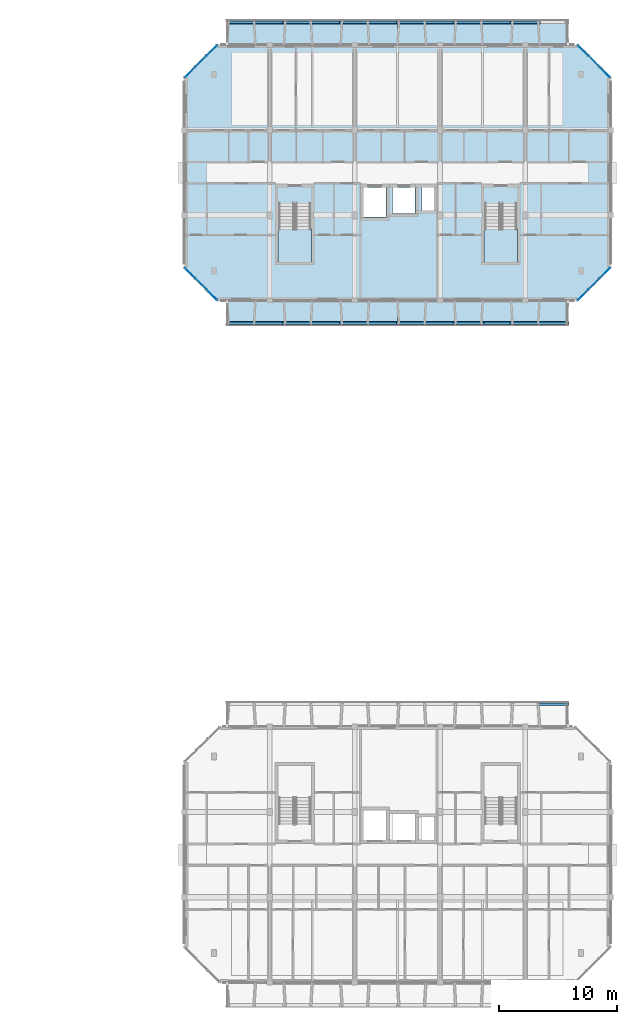
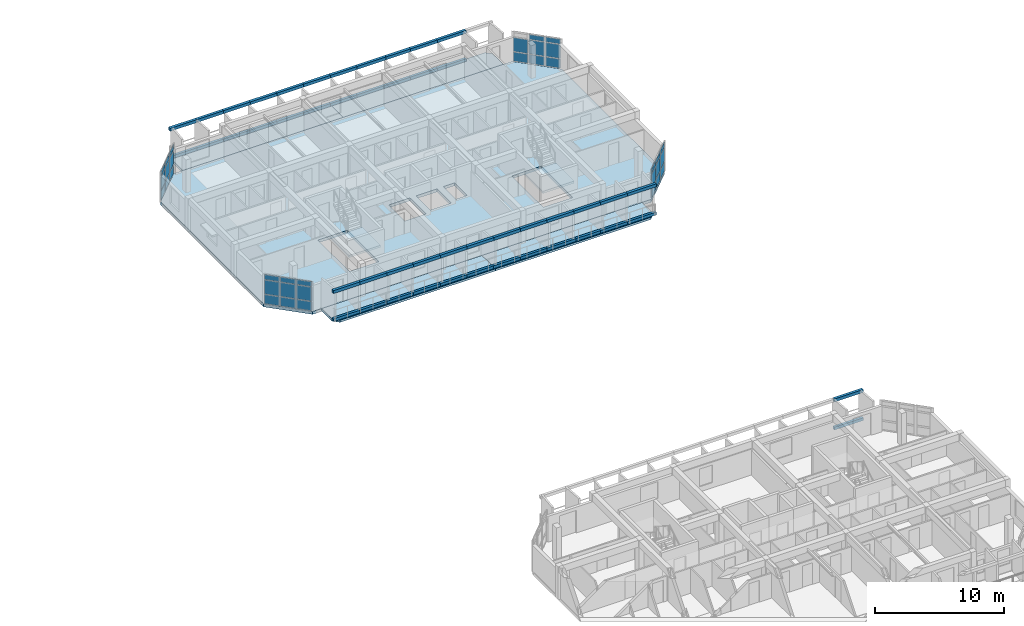
# One storey, part 11 of 31: 83 plates, 7 slabs, 6 elements without a shape of their own.
"""IFC4 building model written with IfcOpenShell, lengths in metres."""

from ifc_helpers import new_model, si_unit, direction, frame, origin, origin_2d, place, context, subcontext, project, spatial, polyline, rectangle, outline, extrude, material, layer, layer_set, type_object, element, aggregate, save


model = new_model("IFC4")

# Units and contexts
model_context = context("Model", 3, precision=1e-05, world=origin(), true_north=direction((0.0, 1.0)))
body_context = subcontext(model_context, "Body", "Model", "MODEL_VIEW")
ifc_project = project(units=[si_unit("LENGTHUNIT", "METRE"), si_unit("AREAUNIT", "SQUARE_METRE"), si_unit("VOLUMEUNIT", "CUBIC_METRE"), si_unit("PLANEANGLEUNIT", "RADIAN"), si_unit("MASSUNIT", "GRAM", prefix="KILO")], contexts=[model_context])

# Site, building, storey
site_placement = place(None, origin())
site = spatial("IfcSite", under=ifc_project, at=site_placement, CompositionType="ELEMENT")
building_placement = place(site_placement, origin())
building = spatial("IfcBuilding", under=site, at=building_placement, Name="Ochrevale Crest", CompositionType="ELEMENT")
storey_placement = place(building_placement, frame((0.0, 0.0, 37.050048828125)))
storey = spatial("IfcBuildingStorey", under=building, at=storey_placement, Name="L11", CompositionType="ELEMENT", Elevation=37.050048828125)

# Curtain wall, plates
ifc_material_1 = material(Name="Anodised aluminium 6063-T5", Category="aluminium")
ifc_layer_1 = layer(ifc_material_1, 0.14990234375)
ifc_layer_set_1 = layer_set([ifc_layer_1], Name="Anodised aluminium 6063-T5")
curtain_wall_type_1 = type_object("IfcCurtainWallType", Name="CW-WG-240x285", PredefinedType="NOTDEFINED", material=ifc_layer_set_1)
curtain_wall_1_placement = place(storey_placement, origin())
curtain_wall_1 = element("IfcCurtainWall", 1, at=curtain_wall_1_placement, inside=storey, type_object=curtain_wall_type_1, Name="Block D L11 chamfered corner wintergarden curtain wall 4", PredefinedType="NOTDEFINED")
ifc_material_2 = material(Name="Double-glazed low-E insulated glass unit", Category="glass")
ifc_layer_2 = layer(ifc_material_2, 0.028076171875)
ifc_layer_set_2 = layer_set([ifc_layer_2], Name="Double-glazed low-E insulated glass unit")
plate_type_1 = type_object("IfcPlateType", Name="CW-PNL-IGU28", PredefinedType="CURTAIN_PANEL", material=ifc_layer_set_2)
plate_1_placement = place(storey_placement, frame((165.1201171875, 91.280029296875, 0.06005859375), z_axis=(0.0, 0.0, 1.0), x_axis=(-0.707106781187, 0.707106781187, 0.0)))
plate_1 = element("IfcPlate", 2, at=plate_1_placement, type_object=plate_type_1, Name="CW15 panel 1.1", PredefinedType="CURTAIN_PANEL", context=body_context, shape_type="SweptSolid", body=[
    extrude(rectangle(XDim=1.20751953125, YDim=0.028076171875, at=origin_2d()), origin(), (0.0, 0.0, 1.0), 0.860107421875),
])
plate_2_placement = place(storey_placement, frame((165.1201171875, 91.280029296875, 0.97998046875), z_axis=(0.0, 0.0, 1.0), x_axis=(-0.707106781187, 0.707106781187, 0.0)))
plate_2 = element("IfcPlate", 3, at=plate_2_placement, type_object=plate_type_1, Name="CW15 panel 1.2", PredefinedType="CURTAIN_PANEL", context=body_context, shape_type="SweptSolid", body=[
    extrude(rectangle(XDim=1.20751953125, YDim=0.028076171875, at=origin_2d()), origin(), (0.0, 0.0, 1.0), 1.31494140625),
])
plate_3_placement = place(storey_placement, frame((165.1201171875, 91.280029296875, 2.35498046875), z_axis=(0.0, 0.0, 1.0), x_axis=(-0.707106781187, 0.707106781187, 0.0)))
plate_3 = element("IfcPlate", 4, at=plate_3_placement, type_object=plate_type_1, Name="CW15 panel 1.3", PredefinedType="CURTAIN_PANEL", context=body_context, shape_type="SweptSolid", body=[
    extrude(rectangle(XDim=1.20751953125, YDim=0.028076171875, at=origin_2d()), origin(), (0.0, 0.0, 1.0), 0.4599609375),
])
plate_4_placement = place(storey_placement, frame((164.199951171875, 92.199951171875, 0.06005859375), z_axis=(0.0, 0.0, 1.0), x_axis=(-0.707106781187, 0.707106781187, 0.0)))
plate_4 = element("IfcPlate", 5, at=plate_4_placement, type_object=plate_type_1, Name="CW15 panel 2.1", PredefinedType="CURTAIN_PANEL", context=body_context, shape_type="SweptSolid", body=[
    extrude(rectangle(XDim=1.244873046875, YDim=0.028076171875, at=origin_2d()), origin(), (0.0, 0.0, 1.0), 0.860107421875),
])
plate_5_placement = place(storey_placement, frame((164.199951171875, 92.199951171875, 0.97998046875), z_axis=(0.0, 0.0, 1.0), x_axis=(-0.707106781187, 0.707106781187, 0.0)))
plate_5 = element("IfcPlate", 6, at=plate_5_placement, type_object=plate_type_1, Name="CW15 panel 2.2", PredefinedType="CURTAIN_PANEL", context=body_context, shape_type="SweptSolid", body=[
    extrude(rectangle(XDim=1.244873046875, YDim=0.028076171875, at=origin_2d()), origin(), (0.0, 0.0, 1.0), 1.31494140625),
])
plate_6_placement = place(storey_placement, frame((164.199951171875, 92.199951171875, 2.35498046875), z_axis=(0.0, 0.0, 1.0), x_axis=(-0.707106781187, 0.707106781187, 0.0)))
plate_6 = element("IfcPlate", 7, at=plate_6_placement, type_object=plate_type_1, Name="CW15 panel 2.3", PredefinedType="CURTAIN_PANEL", context=body_context, shape_type="SweptSolid", body=[
    extrude(rectangle(XDim=1.244873046875, YDim=0.028076171875, at=origin_2d()), origin(), (0.0, 0.0, 1.0), 0.4599609375),
])
plate_7_placement = place(storey_placement, frame((163.280029296875, 93.1201171875, 0.06005859375), z_axis=(0.0, 0.0, 1.0), x_axis=(-0.707106781187, 0.707106781187, 0.0)))
plate_7 = element("IfcPlate", 8, at=plate_7_placement, type_object=plate_type_1, Name="CW15 panel 3.1", PredefinedType="CURTAIN_PANEL", context=body_context, shape_type="SweptSolid", body=[
    extrude(rectangle(XDim=1.20751953125, YDim=0.028076171875, at=origin_2d()), origin(), (0.0, 0.0, 1.0), 0.860107421875),
])
plate_8_placement = place(storey_placement, frame((163.280029296875, 93.1201171875, 0.97998046875), z_axis=(0.0, 0.0, 1.0), x_axis=(-0.707106781187, 0.707106781187, 0.0)))
plate_8 = element("IfcPlate", 9, at=plate_8_placement, type_object=plate_type_1, Name="CW15 panel 3.2", PredefinedType="CURTAIN_PANEL", context=body_context, shape_type="SweptSolid", body=[
    extrude(rectangle(XDim=1.20751953125, YDim=0.028076171875, at=origin_2d()), origin(), (0.0, 0.0, 1.0), 1.31494140625),
])
aggregate(curtain_wall_1, [plate_1, plate_2, plate_3, plate_4, plate_5, plate_6, plate_7, plate_8])

ifc_layer_3 = layer(ifc_material_1, 0.14990234375)
ifc_layer_set_3 = layer_set([ifc_layer_3], Name="Anodised aluminium 6063-T5")
curtain_wall_type_2 = type_object("IfcCurtainWallType", Name="CW-WG-320x285", PredefinedType="NOTDEFINED", material=ifc_layer_set_3)
curtain_wall_2_placement = place(storey_placement, origin())
curtain_wall_2 = element("IfcCurtainWall", 10, at=curtain_wall_2_placement, inside=storey, type_object=curtain_wall_type_2, Name="Block D L11 chamfered corner wintergarden curtain wall 6", PredefinedType="NOTDEFINED")
plate_9_placement = place(storey_placement, frame((131.920166015625, 93.1201171875, 0.06005859375), z_axis=(0.0, 0.0, 1.0), x_axis=(-0.707106781187, -0.707106781187, 0.0)))
plate_9 = element("IfcPlate", 11, at=plate_9_placement, type_object=plate_type_1, Name="CW17 panel 1.1", PredefinedType="CURTAIN_PANEL", context=body_context, shape_type="SweptSolid", body=[
    extrude(rectangle(XDim=1.20751953125, YDim=0.028076171875, at=origin_2d()), origin(), (0.0, 0.0, 1.0), 0.860107421875),
])
plate_10_placement = place(storey_placement, frame((131.920166015625, 93.1201171875, 0.97998046875), z_axis=(0.0, 0.0, 1.0), x_axis=(-0.707106781187, -0.707106781187, 0.0)))
plate_10 = element("IfcPlate", 12, at=plate_10_placement, type_object=plate_type_1, Name="CW17 panel 1.2", PredefinedType="CURTAIN_PANEL", context=body_context, shape_type="SweptSolid", body=[
    extrude(rectangle(XDim=1.20751953125, YDim=0.028076171875, at=origin_2d()), origin(), (0.0, 0.0, 1.0), 1.31494140625),
])
plate_11_placement = place(storey_placement, frame((131.920166015625, 93.1201171875, 2.35498046875), z_axis=(0.0, 0.0, 1.0), x_axis=(-0.707106781187, -0.707106781187, 0.0)))
plate_11 = element("IfcPlate", 13, at=plate_11_placement, type_object=plate_type_1, Name="CW17 panel 1.3", PredefinedType="CURTAIN_PANEL", context=body_context, shape_type="SweptSolid", body=[
    extrude(rectangle(XDim=1.20751953125, YDim=0.028076171875, at=origin_2d()), origin(), (0.0, 0.0, 1.0), 0.4599609375),
])
plate_12_placement = place(storey_placement, frame((131.0, 92.199951171875, 0.06005859375), z_axis=(0.0, 0.0, 1.0), x_axis=(-0.707106781187, -0.707106781187, 0.0)))
plate_12 = element("IfcPlate", 14, at=plate_12_placement, type_object=plate_type_1, Name="CW17 panel 2.1", PredefinedType="CURTAIN_PANEL", context=body_context, shape_type="SweptSolid", body=[
    extrude(rectangle(XDim=1.244873046875, YDim=0.028076171875, at=origin_2d()), origin(), (0.0, 0.0, 1.0), 0.860107421875),
])
plate_13_placement = place(storey_placement, frame((131.0, 92.199951171875, 0.97998046875), z_axis=(0.0, 0.0, 1.0), x_axis=(-0.707106781187, -0.707106781187, 0.0)))
plate_13 = element("IfcPlate", 15, at=plate_13_placement, type_object=plate_type_1, Name="CW17 panel 2.2", PredefinedType="CURTAIN_PANEL", context=body_context, shape_type="SweptSolid", body=[
    extrude(rectangle(XDim=1.244873046875, YDim=0.028076171875, at=origin_2d()), origin(), (0.0, 0.0, 1.0), 1.31494140625),
])
plate_14_placement = place(storey_placement, frame((131.0, 92.199951171875, 2.35498046875), z_axis=(0.0, 0.0, 1.0), x_axis=(-0.707106781187, -0.707106781187, 0.0)))
plate_14 = element("IfcPlate", 16, at=plate_14_placement, type_object=plate_type_1, Name="CW17 panel 2.3", PredefinedType="CURTAIN_PANEL", context=body_context, shape_type="SweptSolid", body=[
    extrude(rectangle(XDim=1.244873046875, YDim=0.028076171875, at=origin_2d()), origin(), (0.0, 0.0, 1.0), 0.4599609375),
])
plate_15_placement = place(storey_placement, frame((130.079833984375, 91.280029296875, 0.06005859375), z_axis=(0.0, 0.0, 1.0), x_axis=(-0.707106781187, -0.707106781187, 0.0)))
plate_15 = element("IfcPlate", 17, at=plate_15_placement, type_object=plate_type_1, Name="CW17 panel 3.1", PredefinedType="CURTAIN_PANEL", context=body_context, shape_type="SweptSolid", body=[
    extrude(rectangle(XDim=1.20751953125, YDim=0.028076171875, at=origin_2d()), origin(), (0.0, 0.0, 1.0), 0.860107421875),
])
plate_16_placement = place(storey_placement, frame((130.079833984375, 91.280029296875, 0.97998046875), z_axis=(0.0, 0.0, 1.0), x_axis=(-0.707106781187, -0.707106781187, 0.0)))
plate_16 = element("IfcPlate", 18, at=plate_16_placement, type_object=plate_type_1, Name="CW17 panel 3.2", PredefinedType="CURTAIN_PANEL", context=body_context, shape_type="SweptSolid", body=[
    extrude(rectangle(XDim=1.20751953125, YDim=0.028076171875, at=origin_2d()), origin(), (0.0, 0.0, 1.0), 1.31494140625),
])
plate_17_placement = place(storey_placement, frame((130.079833984375, 91.280029296875, 2.35498046875), z_axis=(0.0, 0.0, 1.0), x_axis=(-0.707106781187, -0.707106781187, 0.0)))
plate_17 = element("IfcPlate", 19, at=plate_17_placement, type_object=plate_type_1, Name="CW17 panel 3.3", PredefinedType="CURTAIN_PANEL", context=body_context, shape_type="SweptSolid", body=[
    extrude(rectangle(XDim=1.20751953125, YDim=0.028076171875, at=origin_2d()), origin(), (0.0, 0.0, 1.0), 0.4599609375),
])
aggregate(curtain_wall_2, [plate_9, plate_10, plate_11, plate_12, plate_13, plate_14, plate_15, plate_16, plate_17])

ifc_layer_4 = layer(ifc_material_1, 0.14990234375)
ifc_layer_set_4 = layer_set([ifc_layer_4], Name="Anodised aluminium 6063-T5")
curtain_wall_type_3 = type_object("IfcCurtainWallType", Name="CW-WG-420x285", PredefinedType="NOTDEFINED", material=ifc_layer_set_4)
curtain_wall_3_placement = place(storey_placement, origin())
curtain_wall_3 = element("IfcCurtainWall", 20, at=curtain_wall_3_placement, inside=storey, type_object=curtain_wall_type_3, Name="Block D L11 chamfered corner wintergarden curtain wall 8", PredefinedType="NOTDEFINED")
plate_18_placement = place(storey_placement, frame((130.079833984375, 74.320068359375, 0.06005859375), z_axis=(0.0, 0.0, 1.0), x_axis=(0.707106781187, -0.707106781187, 0.0)))
plate_18 = element("IfcPlate", 21, at=plate_18_placement, type_object=plate_type_1, Name="CW22 panel 1.1", PredefinedType="CURTAIN_PANEL", context=body_context, shape_type="SweptSolid", body=[
    extrude(rectangle(XDim=1.20751953125, YDim=0.028076171875, at=origin_2d()), origin(), (0.0, 0.0, 1.0), 0.860107421875),
])
plate_19_placement = place(storey_placement, frame((130.079833984375, 74.320068359375, 0.97998046875), z_axis=(0.0, 0.0, 1.0), x_axis=(0.707106781187, -0.707106781187, 0.0)))
plate_19 = element("IfcPlate", 22, at=plate_19_placement, type_object=plate_type_1, Name="CW22 panel 1.2", PredefinedType="CURTAIN_PANEL", context=body_context, shape_type="SweptSolid", body=[
    extrude(rectangle(XDim=1.20751953125, YDim=0.028076171875, at=origin_2d()), origin(), (0.0, 0.0, 1.0), 1.31494140625),
])
plate_20_placement = place(storey_placement, frame((130.079833984375, 74.320068359375, 2.35498046875), z_axis=(0.0, 0.0, 1.0), x_axis=(0.707106781187, -0.707106781187, 0.0)))
plate_20 = element("IfcPlate", 23, at=plate_20_placement, type_object=plate_type_1, Name="CW22 panel 1.3", PredefinedType="CURTAIN_PANEL", context=body_context, shape_type="SweptSolid", body=[
    extrude(rectangle(XDim=1.20751953125, YDim=0.028076171875, at=origin_2d()), origin(), (0.0, 0.0, 1.0), 0.4599609375),
])
plate_21_placement = place(storey_placement, frame((131.0, 73.39990234375, 0.06005859375), z_axis=(0.0, 0.0, 1.0), x_axis=(0.707106781187, -0.707106781187, 0.0)))
plate_21 = element("IfcPlate", 24, at=plate_21_placement, type_object=plate_type_1, Name="CW22 panel 2.1", PredefinedType="CURTAIN_PANEL", context=body_context, shape_type="SweptSolid", body=[
    extrude(rectangle(XDim=1.244873046875, YDim=0.028076171875, at=origin_2d()), origin(), (0.0, 0.0, 1.0), 0.860107421875),
])
plate_22_placement = place(storey_placement, frame((131.0, 73.39990234375, 0.97998046875), z_axis=(0.0, 0.0, 1.0), x_axis=(0.707106781187, -0.707106781187, 0.0)))
plate_22 = element("IfcPlate", 25, at=plate_22_placement, type_object=plate_type_1, Name="CW22 panel 2.2", PredefinedType="CURTAIN_PANEL", context=body_context, shape_type="SweptSolid", body=[
    extrude(rectangle(XDim=1.244873046875, YDim=0.028076171875, at=origin_2d()), origin(), (0.0, 0.0, 1.0), 1.31494140625),
])
plate_23_placement = place(storey_placement, frame((131.0, 73.39990234375, 2.35498046875), z_axis=(0.0, 0.0, 1.0), x_axis=(0.707106781187, -0.707106781187, 0.0)))
plate_23 = element("IfcPlate", 26, at=plate_23_placement, type_object=plate_type_1, Name="CW22 panel 2.3", PredefinedType="CURTAIN_PANEL", context=body_context, shape_type="SweptSolid", body=[
    extrude(rectangle(XDim=1.244873046875, YDim=0.028076171875, at=origin_2d()), origin(), (0.0, 0.0, 1.0), 0.4599609375),
])
plate_24_placement = place(storey_placement, frame((131.920166015625, 72.47998046875, 0.06005859375), z_axis=(0.0, 0.0, 1.0), x_axis=(0.707106781187, -0.707106781187, 0.0)))
plate_24 = element("IfcPlate", 27, at=plate_24_placement, type_object=plate_type_1, Name="CW22 panel 3.1", PredefinedType="CURTAIN_PANEL", context=body_context, shape_type="SweptSolid", body=[
    extrude(rectangle(XDim=1.20751953125, YDim=0.028076171875, at=origin_2d()), origin(), (0.0, 0.0, 1.0), 0.860107421875),
])
plate_25_placement = place(storey_placement, frame((131.920166015625, 72.47998046875, 0.97998046875), z_axis=(0.0, 0.0, 1.0), x_axis=(0.707106781187, -0.707106781187, 0.0)))
plate_25 = element("IfcPlate", 28, at=plate_25_placement, type_object=plate_type_1, Name="CW22 panel 3.2", PredefinedType="CURTAIN_PANEL", context=body_context, shape_type="SweptSolid", body=[
    extrude(rectangle(XDim=1.20751953125, YDim=0.028076171875, at=origin_2d()), origin(), (0.0, 0.0, 1.0), 1.31494140625),
])
plate_26_placement = place(storey_placement, frame((131.920166015625, 72.47998046875, 2.35498046875), z_axis=(0.0, 0.0, 1.0), x_axis=(0.707106781187, -0.707106781187, 0.0)))
plate_26 = element("IfcPlate", 29, at=plate_26_placement, type_object=plate_type_1, Name="CW22 panel 3.3", PredefinedType="CURTAIN_PANEL", context=body_context, shape_type="SweptSolid", body=[
    extrude(rectangle(XDim=1.20751953125, YDim=0.028076171875, at=origin_2d()), origin(), (0.0, 0.0, 1.0), 0.4599609375),
])
aggregate(curtain_wall_3, [plate_18, plate_19, plate_20, plate_21, plate_22, plate_23, plate_24, plate_25, plate_26])

ifc_layer_5 = layer(ifc_material_1, 0.14990234375)
ifc_layer_set_5 = layer_set([ifc_layer_5], Name="Anodised aluminium 6063-T5")
curtain_wall_type_4 = type_object("IfcCurtainWallType", Name="CW-WG-360x285", PredefinedType="NOTDEFINED", material=ifc_layer_set_5)
curtain_wall_4_placement = place(storey_placement, origin())
curtain_wall_4 = element("IfcCurtainWall", 30, at=curtain_wall_4_placement, inside=storey, type_object=curtain_wall_type_4, Name="Block D L11 chamfered corner wintergarden curtain wall 2", PredefinedType="NOTDEFINED")
ifc_material_3 = material(Name="Acoustic laminated low-E insulated glass unit", Category="glass")
ifc_layer_6 = layer(ifc_material_3, 0.0380859375)
ifc_layer_set_6 = layer_set([ifc_layer_6], Name="Acoustic laminated low-E insulated glass unit")
plate_type_2 = type_object("IfcPlateType", Name="CW-PNL-IGU38", PredefinedType="CURTAIN_PANEL", material=ifc_layer_set_6)
plate_27_placement = place(storey_placement, frame((163.280029296875, 72.47998046875, 0.06005859375), z_axis=(0.0, 0.0, 1.0), x_axis=(0.707106781187, 0.707106781187, 0.0)))
plate_27 = element("IfcPlate", 31, at=plate_27_placement, type_object=plate_type_2, Name="CW18 panel 1.1", PredefinedType="CURTAIN_PANEL", context=body_context, shape_type="SweptSolid", body=[
    extrude(rectangle(XDim=1.20751953125, YDim=0.0380859375, at=origin_2d()), origin(), (0.0, 0.0, 1.0), 0.860107421875),
])
plate_28_placement = place(storey_placement, frame((163.280029296875, 72.47998046875, 0.97998046875), z_axis=(0.0, 0.0, 1.0), x_axis=(0.707106781187, 0.707106781187, 0.0)))
plate_28 = element("IfcPlate", 32, at=plate_28_placement, type_object=plate_type_2, Name="CW18 panel 1.2", PredefinedType="CURTAIN_PANEL", context=body_context, shape_type="SweptSolid", body=[
    extrude(rectangle(XDim=1.20751953125, YDim=0.0380859375, at=origin_2d()), origin(), (0.0, 0.0, 1.0), 1.31494140625),
])
plate_29_placement = place(storey_placement, frame((163.280029296875, 72.47998046875, 2.35498046875), z_axis=(0.0, 0.0, 1.0), x_axis=(0.707106781187, 0.707106781187, 0.0)))
plate_29 = element("IfcPlate", 33, at=plate_29_placement, type_object=plate_type_2, Name="CW18 panel 1.3", PredefinedType="CURTAIN_PANEL", context=body_context, shape_type="SweptSolid", body=[
    extrude(rectangle(XDim=1.20751953125, YDim=0.0380859375, at=origin_2d()), origin(), (0.0, 0.0, 1.0), 0.4599609375),
])
plate_30_placement = place(storey_placement, frame((164.199951171875, 73.39990234375, 0.06005859375), z_axis=(0.0, 0.0, 1.0), x_axis=(0.707106781187, 0.707106781187, 0.0)))
plate_30 = element("IfcPlate", 34, at=plate_30_placement, type_object=plate_type_2, Name="CW18 panel 2.1", PredefinedType="CURTAIN_PANEL", context=body_context, shape_type="SweptSolid", body=[
    extrude(rectangle(XDim=1.244873046875, YDim=0.0380859375, at=origin_2d()), origin(), (0.0, 0.0, 1.0), 0.860107421875),
])
plate_31_placement = place(storey_placement, frame((164.199951171875, 73.39990234375, 0.97998046875), z_axis=(0.0, 0.0, 1.0), x_axis=(0.707106781187, 0.707106781187, 0.0)))
plate_31 = element("IfcPlate", 35, at=plate_31_placement, type_object=plate_type_2, Name="CW18 panel 2.2", PredefinedType="CURTAIN_PANEL", context=body_context, shape_type="SweptSolid", body=[
    extrude(rectangle(XDim=1.244873046875, YDim=0.0380859375, at=origin_2d()), origin(), (0.0, 0.0, 1.0), 1.31494140625),
])
plate_32_placement = place(storey_placement, frame((164.199951171875, 73.39990234375, 2.35498046875), z_axis=(0.0, 0.0, 1.0), x_axis=(0.707106781187, 0.707106781187, 0.0)))
plate_32 = element("IfcPlate", 36, at=plate_32_placement, type_object=plate_type_2, Name="CW18 panel 2.3", PredefinedType="CURTAIN_PANEL", context=body_context, shape_type="SweptSolid", body=[
    extrude(rectangle(XDim=1.244873046875, YDim=0.0380859375, at=origin_2d()), origin(), (0.0, 0.0, 1.0), 0.4599609375),
])
plate_33_placement = place(storey_placement, frame((165.1201171875, 74.320068359375, 0.06005859375), z_axis=(0.0, 0.0, 1.0), x_axis=(0.707106781187, 0.707106781187, 0.0)))
plate_33 = element("IfcPlate", 37, at=plate_33_placement, type_object=plate_type_2, Name="CW18 panel 3.1", PredefinedType="CURTAIN_PANEL", context=body_context, shape_type="SweptSolid", body=[
    extrude(rectangle(XDim=1.20751953125, YDim=0.0380859375, at=origin_2d()), origin(), (0.0, 0.0, 1.0), 0.860107421875),
])
plate_34_placement = place(storey_placement, frame((165.1201171875, 74.320068359375, 0.97998046875), z_axis=(0.0, 0.0, 1.0), x_axis=(0.707106781187, 0.707106781187, 0.0)))
plate_34 = element("IfcPlate", 38, at=plate_34_placement, type_object=plate_type_2, Name="CW18 panel 3.2", PredefinedType="CURTAIN_PANEL", context=body_context, shape_type="SweptSolid", body=[
    extrude(rectangle(XDim=1.20751953125, YDim=0.0380859375, at=origin_2d()), origin(), (0.0, 0.0, 1.0), 1.31494140625),
])
plate_35_placement = place(storey_placement, frame((165.1201171875, 74.320068359375, 2.35498046875), z_axis=(0.0, 0.0, 1.0), x_axis=(0.707106781187, 0.707106781187, 0.0)))
plate_35 = element("IfcPlate", 39, at=plate_35_placement, type_object=plate_type_2, Name="CW18 panel 3.3", PredefinedType="CURTAIN_PANEL", context=body_context, shape_type="SweptSolid", body=[
    extrude(rectangle(XDim=1.20751953125, YDim=0.0380859375, at=origin_2d()), origin(), (0.0, 0.0, 1.0), 0.4599609375),
])
aggregate(curtain_wall_4, [plate_27, plate_28, plate_29, plate_30, plate_31, plate_32, plate_33, plate_34, plate_35])

# Plates
ifc_material_4 = material(Name="Precast concrete C40/50", Category="concrete")
ifc_layer_7 = layer(ifc_material_4, 0.06005859375)
ifc_layer_set_7 = layer_set([ifc_layer_7], Name="Precast concrete C40/50")
plate_type_3 = type_object("IfcPlateType", Name="PLT-HC-HEAD-60", PredefinedType="USERDEFINED", material=ifc_layer_set_7)
for number, where, z_axis, x_axis, name in (
    (40, (160.800048828125, 37.89990234375, 2.669921875), (0.0, 0.0, 1.0), (1.0, 0.0, 0.0), "Block C L11 N honeycomb arched lintel fascia 12"),
    (41, (134.39990234375, 70.10009765625, 2.669921875), (0.0, 0.0, 1.0), (1.0, 0.0, 0.0), "Block D L11 S honeycomb arched lintel fascia 1"),
    (42, (136.800048828125, 70.10009765625, 2.669921875), (0.0, 0.0, 1.0), (1.0, 0.0, 0.0), "Block D L11 S honeycomb arched lintel fascia 2"),
    (43, (139.199951171875, 70.10009765625, 2.669921875), (0.0, 0.0, 1.0), (1.0, 0.0, 0.0), "Block D L11 S honeycomb arched lintel fascia 3"),
    (44, (141.60009765625, 70.10009765625, 2.669921875), (0.0, 0.0, 1.0), (1.0, 0.0, 0.0), "Block D L11 S honeycomb arched lintel fascia 4"),
    (45, (144.0, 70.10009765625, 2.669921875), (0.0, 0.0, 1.0), (1.0, 0.0, 0.0), "Block D L11 S honeycomb arched lintel fascia 5"),
    (46, (146.39990234375, 70.10009765625, 2.669921875), (0.0, 0.0, 1.0), (1.0, 0.0, 0.0), "Block D L11 S honeycomb arched lintel fascia 6"),
    (47, (148.800048828125, 70.10009765625, 2.669921875), (0.0, 0.0, 1.0), (1.0, 0.0, 0.0), "Block D L11 S honeycomb arched lintel fascia 7"),
    (48, (151.199951171875, 70.10009765625, 2.669921875), (0.0, 0.0, 1.0), (1.0, 0.0, 0.0), "Block D L11 S honeycomb arched lintel fascia 8"),
    (49, (153.60009765625, 70.10009765625, 2.669921875), (0.0, 0.0, 1.0), (1.0, 0.0, 0.0), "Block D L11 S honeycomb arched lintel fascia 9"),
    (50, (156.0, 70.10009765625, 2.669921875), (0.0, 0.0, 1.0), (1.0, 0.0, 0.0), "Block D L11 S honeycomb arched lintel fascia 10"),
    (51, (158.39990234375, 70.10009765625, 2.669921875), (0.0, 0.0, 1.0), (1.0, 0.0, 0.0), "Block D L11 S honeycomb arched lintel fascia 11"),
    (52, (160.800048828125, 70.10009765625, 2.669921875), (0.0, 0.0, 1.0), (1.0, 0.0, 0.0), "Block D L11 S honeycomb arched lintel fascia 12"),
    (53, (134.39990234375, 95.5, 2.669921875), (0.0, 0.0, 1.0), (1.0, 0.0, 0.0), "Block D L11 N honeycomb arched lintel fascia 1"),
    (54, (136.800048828125, 95.5, 2.669921875), (0.0, 0.0, 1.0), (1.0, 0.0, 0.0), "Block D L11 N honeycomb arched lintel fascia 2"),
    (55, (139.199951171875, 95.5, 2.669921875), (0.0, 0.0, 1.0), (1.0, 0.0, 0.0), "Block D L11 N honeycomb arched lintel fascia 3"),
    (56, (141.60009765625, 95.5, 2.669921875), (0.0, 0.0, 1.0), (1.0, 0.0, 0.0), "Block D L11 N honeycomb arched lintel fascia 4"),
    (57, (144.0, 95.5, 2.669921875), (0.0, 0.0, 1.0), (1.0, 0.0, 0.0), "Block D L11 N honeycomb arched lintel fascia 5"),
    (58, (146.39990234375, 95.5, 2.669921875), (0.0, 0.0, 1.0), (1.0, 0.0, 0.0), "Block D L11 N honeycomb arched lintel fascia 6"),
    (59, (148.800048828125, 95.5, 2.669921875), (0.0, 0.0, 1.0), (1.0, 0.0, 0.0), "Block D L11 N honeycomb arched lintel fascia 7"),
    (60, (151.199951171875, 95.5, 2.669921875), (0.0, 0.0, 1.0), (1.0, 0.0, 0.0), "Block D L11 N honeycomb arched lintel fascia 8"),
    (61, (153.60009765625, 95.5, 2.669921875), (0.0, 0.0, 1.0), (1.0, 0.0, 0.0), "Block D L11 N honeycomb arched lintel fascia 9"),
    (62, (156.0, 95.5, 2.669921875), (0.0, 0.0, 1.0), (1.0, 0.0, 0.0), "Block D L11 N honeycomb arched lintel fascia 10"),
    (63, (158.39990234375, 95.5, 2.669921875), (0.0, 0.0, 1.0), (1.0, 0.0, 0.0), "Block D L11 N honeycomb arched lintel fascia 11"),
):
    element("IfcPlate", number, at=place(storey_placement, frame(where, z_axis=z_axis, x_axis=x_axis)), inside=storey, type_object=plate_type_3, Name=name, ObjectType="FACADE FASCIA PLATE", PredefinedType="USERDEFINED", context=body_context, shape_type="SweptSolid", body=[
        extrude(rectangle(XDim=2.60009765625, YDim=0.239990234375, at=origin_2d()), origin(), (0.0, 0.0, 1.0), 0.280029296875),
    ])
ifc_layer_8 = layer(ifc_material_4, 0.044921875)
ifc_layer_set_8 = layer_set([ifc_layer_8], Name="Precast concrete C40/50")
plate_type_4 = type_object("IfcPlateType", Name="PLT-HC-SILL-45", PredefinedType="USERDEFINED", material=ifc_layer_set_8)
for number, where, z_axis, x_axis, name in (
    (64, (160.800048828125, 37.89990234375, 0.0), (0.0, 0.0, 1.0), (1.0, 0.0, 0.0), "Block C L11 N honeycomb sill coping plate 12"),
    (65, (134.39990234375, 70.10009765625, 0.0), (0.0, 0.0, 1.0), (1.0, 0.0, 0.0), "Block D L11 S honeycomb sill coping plate 1"),
    (66, (136.800048828125, 70.10009765625, 0.0), (0.0, 0.0, 1.0), (1.0, 0.0, 0.0), "Block D L11 S honeycomb sill coping plate 2"),
    (67, (139.199951171875, 70.10009765625, 0.0), (0.0, 0.0, 1.0), (1.0, 0.0, 0.0), "Block D L11 S honeycomb sill coping plate 3"),
    (68, (141.60009765625, 70.10009765625, 0.0), (0.0, 0.0, 1.0), (1.0, 0.0, 0.0), "Block D L11 S honeycomb sill coping plate 4"),
    (69, (144.0, 70.10009765625, 0.0), (0.0, 0.0, 1.0), (1.0, 0.0, 0.0), "Block D L11 S honeycomb sill coping plate 5"),
    (70, (146.39990234375, 70.10009765625, 0.0), (0.0, 0.0, 1.0), (1.0, 0.0, 0.0), "Block D L11 S honeycomb sill coping plate 6"),
    (71, (148.800048828125, 70.10009765625, 0.0), (0.0, 0.0, 1.0), (1.0, 0.0, 0.0), "Block D L11 S honeycomb sill coping plate 7"),
    (72, (151.199951171875, 70.10009765625, 0.0), (0.0, 0.0, 1.0), (1.0, 0.0, 0.0), "Block D L11 S honeycomb sill coping plate 8"),
    (73, (153.60009765625, 70.10009765625, 0.0), (0.0, 0.0, 1.0), (1.0, 0.0, 0.0), "Block D L11 S honeycomb sill coping plate 9"),
    (74, (156.0, 70.10009765625, 0.0), (0.0, 0.0, 1.0), (1.0, 0.0, 0.0), "Block D L11 S honeycomb sill coping plate 10"),
    (75, (158.39990234375, 70.10009765625, 0.0), (0.0, 0.0, 1.0), (1.0, 0.0, 0.0), "Block D L11 S honeycomb sill coping plate 11"),
    (76, (160.800048828125, 70.10009765625, 0.0), (0.0, 0.0, 1.0), (1.0, 0.0, 0.0), "Block D L11 S honeycomb sill coping plate 12"),
    (77, (134.39990234375, 95.5, 0.0), (0.0, 0.0, 1.0), (1.0, 0.0, 0.0), "Block D L11 N honeycomb sill coping plate 1"),
    (78, (136.800048828125, 95.5, 0.0), (0.0, 0.0, 1.0), (1.0, 0.0, 0.0), "Block D L11 N honeycomb sill coping plate 2"),
    (79, (139.199951171875, 95.5, 0.0), (0.0, 0.0, 1.0), (1.0, 0.0, 0.0), "Block D L11 N honeycomb sill coping plate 3"),
    (80, (141.60009765625, 95.5, 0.0), (0.0, 0.0, 1.0), (1.0, 0.0, 0.0), "Block D L11 N honeycomb sill coping plate 4"),
    (81, (144.0, 95.5, 0.0), (0.0, 0.0, 1.0), (1.0, 0.0, 0.0), "Block D L11 N honeycomb sill coping plate 5"),
    (82, (146.39990234375, 95.5, 0.0), (0.0, 0.0, 1.0), (1.0, 0.0, 0.0), "Block D L11 N honeycomb sill coping plate 6"),
    (83, (148.800048828125, 95.5, 0.0), (0.0, 0.0, 1.0), (1.0, 0.0, 0.0), "Block D L11 N honeycomb sill coping plate 7"),
    (84, (151.199951171875, 95.5, 0.0), (0.0, 0.0, 1.0), (1.0, 0.0, 0.0), "Block D L11 N honeycomb sill coping plate 8"),
    (85, (153.60009765625, 95.5, 0.0), (0.0, 0.0, 1.0), (1.0, 0.0, 0.0), "Block D L11 N honeycomb sill coping plate 9"),
    (86, (156.0, 95.5, 0.0), (0.0, 0.0, 1.0), (1.0, 0.0, 0.0), "Block D L11 N honeycomb sill coping plate 10"),
    (87, (158.39990234375, 95.5, 0.0), (0.0, 0.0, 1.0), (1.0, 0.0, 0.0), "Block D L11 N honeycomb sill coping plate 11"),
):
    element("IfcPlate", number, at=place(storey_placement, frame(where, z_axis=z_axis, x_axis=x_axis)), inside=storey, type_object=plate_type_4, Name=name, ObjectType="SILL COPING PLATE", PredefinedType="USERDEFINED", context=body_context, shape_type="SweptSolid", body=[
        extrude(rectangle(XDim=2.60009765625, YDim=0.219970703125, at=origin_2d()), origin(), (0.0, 0.0, 1.0), 0.260009765625),
    ])

# Slabs
ifc_layer_9 = layer(ifc_material_4, 0.199951171875)
ifc_layer_set_9 = layer_set([ifc_layer_9], Name="Precast concrete C40/50")
slab_type_1 = type_object("IfcSlabType", Name="SLB-BAL-200", PredefinedType="FLOOR", material=ifc_layer_set_9)
slab_1_placement = place(storey_placement, frame((0.0, 0.0, -0.199951171875)))
element("IfcSlab", 88, at=slab_1_placement, inside=storey, type_object=slab_type_1, Name="Block D L11 S1 precast loggia balcony slab", PredefinedType="FLOOR", context=body_context, shape_type="SweptSolid", body=[
    extrude(outline(polyline([(133.64990234375, 69.89990234375), (147.60009765625, 69.89990234375), (147.60009765625, 72.0), (133.199951171875, 72.0), (133.199951171875, 70.35009765625), (133.64990234375, 69.89990234375)])), origin(), (0.0, 0.0, 1.0), 0.199951171875),
])
slab_2_placement = place(storey_placement, frame((0.0, 0.0, -0.199951171875)))
element("IfcSlab", 89, at=slab_2_placement, inside=storey, type_object=slab_type_1, Name="Block D L11 S2 precast loggia balcony slab", PredefinedType="FLOOR", context=body_context, shape_type="SweptSolid", body=[
    extrude(outline(polyline([(147.60009765625, 69.89990234375), (161.550048828125, 69.89990234375), (162.0, 70.35009765625), (162.0, 72.0), (147.60009765625, 72.0), (147.60009765625, 69.89990234375)])), origin(), (0.0, 0.0, 1.0), 0.199951171875),
])
slab_3_placement = place(storey_placement, frame((0.0, 0.0, -0.199951171875)))
element("IfcSlab", 90, at=slab_3_placement, inside=storey, type_object=slab_type_1, Name="Block D L11 N1 precast loggia balcony slab", PredefinedType="FLOOR", context=body_context, shape_type="SweptSolid", body=[
    extrude(outline(polyline([(133.199951171875, 93.60009765625), (147.60009765625, 93.60009765625), (147.60009765625, 95.699951171875), (133.64990234375, 95.699951171875), (133.199951171875, 95.25), (133.199951171875, 93.60009765625)])), origin(), (0.0, 0.0, 1.0), 0.199951171875),
])
slab_4_placement = place(storey_placement, frame((0.0, 0.0, -0.199951171875)))
element("IfcSlab", 91, at=slab_4_placement, inside=storey, type_object=slab_type_1, Name="Block D L11 N2 precast loggia balcony slab", PredefinedType="FLOOR", context=body_context, shape_type="SweptSolid", body=[
    extrude(outline(polyline([(147.60009765625, 93.60009765625), (162.0, 93.60009765625), (162.0, 95.25), (161.550048828125, 95.699951171875), (147.60009765625, 95.699951171875), (147.60009765625, 93.60009765625)])), origin(), (0.0, 0.0, 1.0), 0.199951171875),
])
ifc_layer_10 = layer(ifc_material_4, 0.27490234375)
ifc_layer_set_10 = layer_set([ifc_layer_10], Name="Precast concrete C40/50")
slab_type_2 = type_object("IfcSlabType", Name="SLB-RES-275", PredefinedType="FLOOR", material=ifc_layer_set_10)
slab_5_placement = place(storey_placement, frame((0.0, 0.0, -0.275146484375)))
element("IfcSlab", 92, at=slab_5_placement, inside=storey, type_object=slab_type_2, Name="Block D L11 composite hollowcore floor slab", PredefinedType="FLOOR", context=body_context, shape_type="SweptSolid", body=[
    extrude(outline(polyline([(132.39990234375, 72.0), (162.800048828125, 72.0), (165.60009765625, 74.800048828125), (165.60009765625, 90.800048828125), (162.800048828125, 93.60009765625), (132.39990234375, 93.60009765625), (129.60009765625, 90.800048828125), (129.60009765625, 74.800048828125), (132.39990234375, 72.0)]), holes=[polyline([(137.60009765625, 80.175048828125), (137.60009765625, 75.27490234375), (140.25, 75.27490234375), (140.25, 80.175048828125), (137.60009765625, 80.175048828125)]), polyline([(155.0, 80.175048828125), (155.0, 75.27490234375), (157.64990234375, 75.27490234375), (157.64990234375, 80.175048828125), (155.0, 80.175048828125)]), polyline([(144.75, 79.050048828125), (146.64990234375, 79.050048828125), (146.64990234375, 81.550048828125), (144.75, 81.550048828125), (144.75, 79.050048828125)]), polyline([(147.199951171875, 79.35009765625), (149.10009765625, 79.35009765625), (149.10009765625, 81.550048828125), (147.199951171875, 81.550048828125), (147.199951171875, 79.35009765625)]), polyline([(149.669921875, 79.6201171875), (150.679931640625, 79.6201171875), (150.679931640625, 81.580078125), (149.669921875, 81.580078125), (149.669921875, 79.6201171875)])]), origin(), (0.0, 0.0, 1.0), 0.275146484375),
])

# Stair, slab
stair_type = type_object("IfcStairType", Name="ST-CORE-DOG", PredefinedType="HALF_TURN_STAIR", material=ifc_material_4)
stair_1_placement = place(storey_placement, origin())
stair_1 = element("IfcStair", 93, at=stair_1_placement, inside=storey, type_object=stair_type, Name="L11 Block D Fire Stair 1", PredefinedType="HALF_TURN_STAIR")
ifc_layer_11 = layer(ifc_material_4, 0.199951171875)
ifc_layer_set_11 = layer_set([ifc_layer_11], Name="Precast concrete C40/50")
slab_type_3 = type_object("IfcSlabType", Name="SLB-ST-LAND", PredefinedType="LANDING", material=ifc_layer_set_11)
slab_6_placement = place(storey_placement, frame((0.0, 0.0, 1.375)))
slab_6 = element("IfcSlab", 94, at=slab_6_placement, type_object=slab_type_3, Name="ST-D1 landing 1", PredefinedType="LANDING", context=body_context, shape_type="SweptSolid", body=[
    extrude(outline(polyline([(137.52001953125, 78.06494140625), (137.52001953125, 75.195068359375), (140.330078125, 75.195068359375), (140.330078125, 78.06494140625), (137.52001953125, 78.06494140625)])), origin(), (0.0, 0.0, 1.0), 0.199951171875),
])
aggregate(stair_1, [slab_6])

stair_2_placement = place(storey_placement, origin())
stair_2 = element("IfcStair", 95, at=stair_2_placement, inside=storey, type_object=stair_type, Name="L11 Block D Fire Stair 2", PredefinedType="HALF_TURN_STAIR")
slab_7_placement = place(storey_placement, frame((0.0, 0.0, 1.375)))
slab_7 = element("IfcSlab", 96, at=slab_7_placement, type_object=slab_type_3, Name="ST-D2 landing 1", PredefinedType="LANDING", context=body_context, shape_type="SweptSolid", body=[
    extrude(outline(polyline([(154.919921875, 78.06494140625), (154.919921875, 75.195068359375), (157.72998046875, 75.195068359375), (157.72998046875, 78.06494140625), (154.919921875, 78.06494140625)])), origin(), (0.0, 0.0, 1.0), 0.199951171875),
])
aggregate(stair_2, [slab_7])

save(model, "model.ifc")
